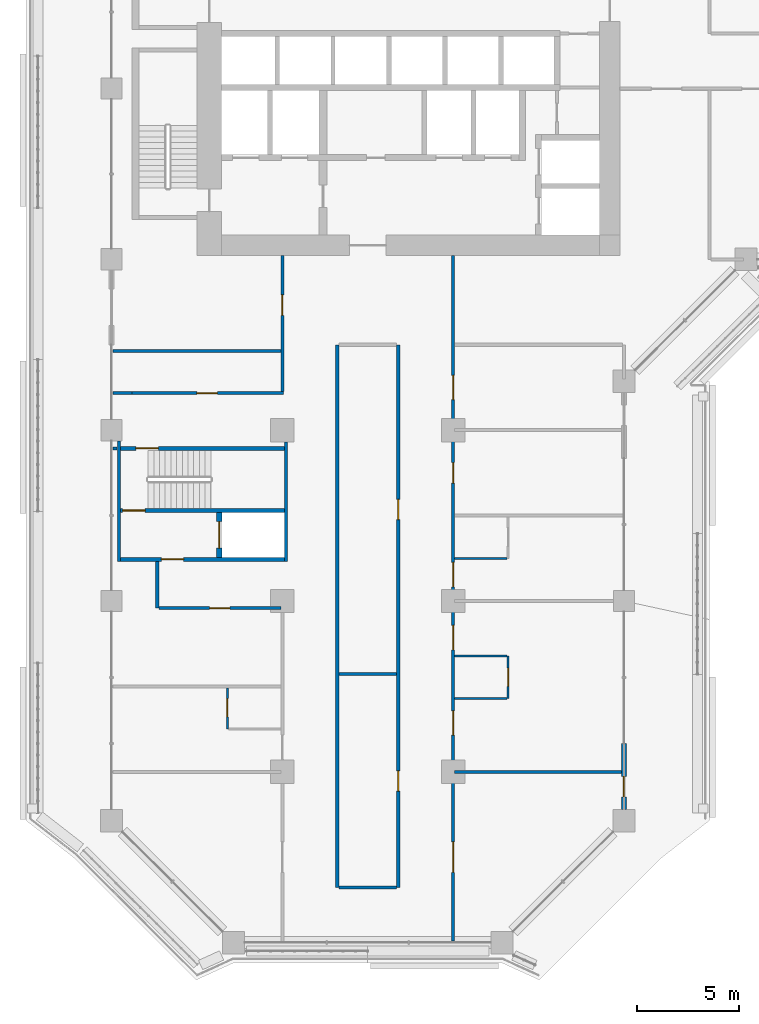
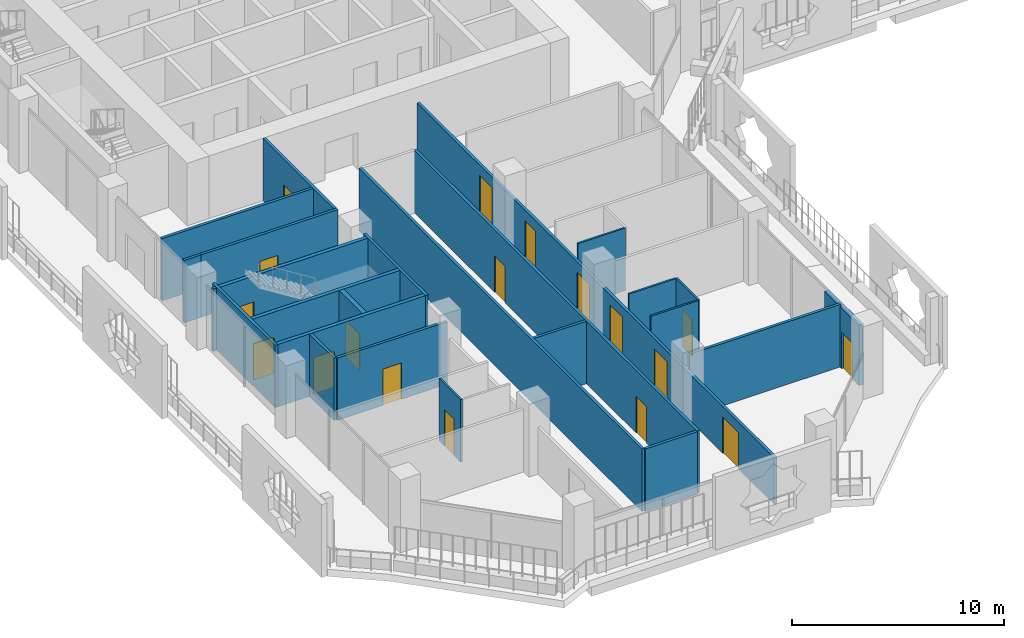
# One storey, part 12 of 25: 25 walls, 18 doors, 18 openings.
"""IFC4 building model written with IfcOpenShell, lengths in metres."""

from ifc_helpers import new_model, si_unit, direction, frame, frame_2d, origin, place, context, subcontext, project, spatial, rectangle, extrude, material, layer, layer_set, type_object, element, fill, save


model = new_model("IFC4")

# Units and contexts
model_context = context("Model", 3, precision=1e-05, world=origin(), true_north=direction((0.0, 1.0)))
body_context = subcontext(model_context, "Body", "Model", "MODEL_VIEW")
ifc_project = project(units=[si_unit("LENGTHUNIT", "METRE"), si_unit("AREAUNIT", "SQUARE_METRE"), si_unit("VOLUMEUNIT", "CUBIC_METRE"), si_unit("PLANEANGLEUNIT", "RADIAN"), si_unit("MASSUNIT", "GRAM", prefix="KILO")], contexts=[model_context])

# Site, building, storey
site_placement = place(None, origin())
site = spatial("IfcSite", under=ifc_project, at=site_placement, CompositionType="ELEMENT")
building_placement = place(site_placement, origin())
building = spatial("IfcBuilding", under=site, at=building_placement, Name="Kawkab Arch Medical Tower", CompositionType="ELEMENT")
storey_placement = place(building_placement, frame((0.0, 0.0, 140.800048828125)))
storey = spatial("IfcBuildingStorey", under=building, at=storey_placement, Name="L32", CompositionType="ELEMENT", Elevation=140.800048828125)

# Wall, opening, door
ifc_material_1 = material(Name="Concrete C60/75", Category="concrete")
ifc_layer_1 = layer(ifc_material_1, 0.25)
ifc_layer_set_1 = layer_set([ifc_layer_1], Name="Concrete C60/75")
wall_type_1 = type_object("IfcWallType", Name="Core shear wall 250 C60/75", PredefinedType="SHEAR", material=ifc_layer_set_1)
wall_1_placement = place(storey_placement, frame((5.300048828125, -39.85009765625, 0.0), z_axis=(0.0, 0.0, 1.0), x_axis=(0.0, 1.0, 0.0)))
wall_1 = element("IfcWall", 1, at=wall_1_placement, inside=storey, type_object=wall_type_1, Name="L32 core shear wall", PredefinedType="SHEAR", context=body_context, shape_type="SweptSolid", body=[
    extrude(rectangle(XDim=2.2001953125, YDim=0.25, at=frame_2d((1.10009765625, 0.0))), origin(), (0.0, 0.0, 1.0), 3.599853515625),
])
opening_1_placement = place(wall_1_placement, frame((0.449951171875, 0.0, 0.0)))
opening_1 = element("IfcOpeningElement", 2, at=opening_1_placement, cuts=wall_1, Name="Opening LD2", PredefinedType="OPENING", context=body_context, shape_type="SweptSolid", body=[
    extrude(rectangle(XDim=1.300048828125, YDim=2.10009765625, at=frame_2d((0.64990234375, 1.050048828125))), frame((0.0, 0.135009765625, 0.0), z_axis=(0.0, -1.0, 0.0), x_axis=(1.0, 0.0, 0.0)), (0.0, 0.0, 1.0), 0.27001953125),
])
ifc_material_2 = material(Name="Stainless steel lift door leaf", Category="steel")
door_type_1 = type_object("IfcDoorType", Name="Lift landing door 1300", OperationType="DOUBLE_DOOR_SLIDING", PredefinedType="DOOR", material=ifc_material_2)
door_1_placement = place(opening_1_placement, origin())
door_1 = element("IfcDoor", 3, at=door_1_placement, inside=storey, type_object=door_type_1, Name="L32 Lift landing door SV2", OperationType="DOUBLE_DOOR_SLIDING", OverallHeight=2.10009765625, OverallWidth=1.300048828125, PredefinedType="DOOR", context=body_context, shape_type="SweptSolid", body=[
    extrude(rectangle(XDim=1.300048828125, YDim=2.10009765625, at=frame_2d((0.64990234375, 1.050048828125))), frame((0.0, 0.02490234375, 0.0), z_axis=(0.0, -1.0, 0.0), x_axis=(1.0, 0.0, 0.0)), (0.0, 0.0, 1.0), 0.050048828125),
])
fill(opening_1, door_1)

ifc_material_3 = material(Name="Bronze clad insulated wall panel")
ifc_layer_2 = layer(ifc_material_3, 0.25)
ifc_layer_set_2 = layer_set([ifc_layer_2], Name="Bronze clad insulated wall panel")
wall_type_2 = type_object("IfcWallType", Name="External wall bay 250", PredefinedType="SOLIDWALL", material=ifc_layer_set_2)
wall_2_placement = place(storey_placement, frame((25.199951171875, -52.25, 0.0), z_axis=(0.0, 0.0, 1.0), x_axis=(0.0, 1.0, 0.0)))
wall_2 = element("IfcWall", 4, at=wall_2_placement, inside=storey, type_object=wall_type_2, Name="External wall bay L32.R05.1.1", PredefinedType="SOLIDWALL", context=body_context, shape_type="SweptSolid", body=[
    extrude(rectangle(XDim=3.24169921875, YDim=0.25, at=frame_2d((1.620849609375, 0.0))), origin(), (0.0, 0.0, 1.0), 3.47998046875),
])
opening_2_placement = place(wall_2_placement, frame((0.620849609375, 0.0, 0.0)))
opening_2 = element("IfcOpeningElement", 5, at=opening_2_placement, cuts=wall_2, Name="Opening W27-702", PredefinedType="OPENING", context=body_context, shape_type="SweptSolid", body=[
    extrude(rectangle(XDim=1.0, YDim=2.10009765625, at=frame_2d((0.5, 1.050048828125))), frame((0.0, 0.135009765625, 0.0), z_axis=(0.0, -1.0, 0.0), x_axis=(1.0, 0.0, 0.0)), (0.0, 0.0, 1.0), 0.27001953125),
])
ifc_material_4 = material(Name="Bronze anodised aluminium door with tinted glass", Category="aluminium")
door_type_2 = type_object("IfcDoorType", Name="Single external door 1000 x 2100", OperationType="SINGLE_SWING_LEFT", PredefinedType="DOOR", material=ifc_material_4)
door_2_placement = place(opening_2_placement, origin())
door_2 = element("IfcDoor", 6, at=door_2_placement, inside=storey, type_object=door_type_2, Name="External door L32.R05.1.1", OperationType="SINGLE_SWING_LEFT", OverallHeight=2.10009765625, OverallWidth=1.0, PredefinedType="DOOR", context=body_context, shape_type="SweptSolid", body=[
    extrude(rectangle(XDim=1.0, YDim=2.10009765625, at=frame_2d((0.5, 1.050048828125))), frame((0.0, 0.02490234375, 0.0), z_axis=(0.0, -1.0, 0.0), x_axis=(1.0, 0.0, 0.0)), (0.0, 0.0, 1.0), 0.050048828125),
])
fill(opening_2, door_2)

# Walls
ifc_material_5 = material(Name="Gypsum board partition on steel studs", Category="steel")
ifc_layer_3 = layer(ifc_material_5, 0.10009765625)
ifc_layer_set_3 = layer_set([ifc_layer_3], Name="Gypsum board partition on steel studs")
wall_type_3 = type_object("IfcWallType", Name="Partition 100", PredefinedType="PARTITIONING", material=ifc_layer_set_3)
wall_3_placement = place(storey_placement, frame((16.875, -46.800048828125, 0.0), z_axis=(0.0, 0.0, 1.0), x_axis=(1.0, 0.0, 0.0)))
element("IfcWall", 7, at=wall_3_placement, inside=storey, type_object=wall_type_3, Name="Partition 100 w002", PredefinedType="PARTITIONING", context=body_context, shape_type="SweptSolid", body=[
    extrude(rectangle(XDim=2.572998046875, YDim=0.10009765625, at=frame_2d((1.28662109375, 0.0))), origin(), (0.0, 0.0, 1.0), 3.599853515625),
])
wall_4_placement = place(storey_placement, frame((16.875, -44.699951171875, 0.0), z_axis=(0.0, 0.0, 1.0), x_axis=(1.0, 0.0, 0.0)))
element("IfcWall", 8, at=wall_4_placement, inside=storey, type_object=wall_type_3, Name="Partition 100 w003", PredefinedType="PARTITIONING", context=body_context, shape_type="SweptSolid", body=[
    extrude(rectangle(XDim=2.573974609375, YDim=0.10009765625, at=frame_2d((1.287109375, 0.0))), origin(), (0.0, 0.0, 1.0), 3.599853515625),
])
wall_5_placement = place(storey_placement, frame((16.875, -39.89990234375, 0.0), z_axis=(0.0, 0.0, 1.0), x_axis=(1.0, 0.0, 0.0)))
element("IfcWall", 9, at=wall_5_placement, inside=storey, type_object=wall_type_3, Name="Partition 100 w004", PredefinedType="PARTITIONING", context=body_context, shape_type="SweptSolid", body=[
    extrude(rectangle(XDim=2.574951171875, YDim=0.10009765625, at=frame_2d((1.28759765625, 0.0))), origin(), (0.0, 0.0, 1.0), 3.599853515625),
])

# Wall, opening, door
wall_6_placement = place(storey_placement, frame((5.699951171875, -48.300048828125, 0.0), z_axis=(0.0, 0.0, 1.0), x_axis=(0.0, 1.0, 0.0)))
wall_6 = element("IfcWall", 10, at=wall_6_placement, inside=storey, type_object=wall_type_3, Name="Partition 100 w014", PredefinedType="PARTITIONING", context=body_context, shape_type="SweptSolid", body=[
    extrude(rectangle(XDim=2.025146484375, YDim=0.10009765625, at=frame_2d((1.0126953125, 0.0))), origin(), (0.0, 0.0, 1.0), 3.599853515625),
])
opening_3_placement = place(wall_6_placement, frame((0.60009765625, 0.0, 0.0)))
opening_3 = element("IfcOpeningElement", 11, at=opening_3_placement, cuts=wall_6, Name="Opening W27-014", PredefinedType="OPENING", context=body_context, shape_type="SweptSolid", body=[
    extrude(rectangle(XDim=0.89990234375, YDim=2.10009765625, at=frame_2d((0.449951171875, 1.050048828125))), frame((0.0, 0.06005859375, 0.0), z_axis=(0.0, -1.0, 0.0), x_axis=(1.0, 0.0, 0.0)), (0.0, 0.0, 1.0), 0.1201171875),
])
ifc_material_6 = material(Name="Timber door leaf", Category="wood")
door_type_3 = type_object("IfcDoorType", Name="Single door 900x2100", OperationType="NOTDEFINED", PredefinedType="DOOR", material=ifc_material_6)
door_3_placement = place(opening_3_placement, origin())
door_3 = element("IfcDoor", 12, at=door_3_placement, inside=storey, type_object=door_type_3, Name="Door W27-014", OperationType="SINGLE_SWING_RIGHT", OverallHeight=2.10009765625, OverallWidth=0.89990234375, PredefinedType="DOOR", context=body_context, shape_type="SweptSolid", body=[
    extrude(rectangle(XDim=0.89990234375, YDim=2.10009765625, at=frame_2d((0.449951171875, 1.050048828125))), frame((0.0, 0.02490234375, 0.0), z_axis=(0.0, -1.0, 0.0), x_axis=(1.0, 0.0, 0.0)), (0.0, 0.0, 1.0), 0.050048828125),
])
fill(opening_3, door_3)

wall_7_placement = place(storey_placement, frame((19.5, -46.798095703125, 0.0), z_axis=(0.0, 0.0, 1.0), x_axis=(0.0, 1.0, 0.0)))
wall_7 = element("IfcWall", 13, at=wall_7_placement, inside=storey, type_object=wall_type_3, Name="Partition 100 w015", PredefinedType="PARTITIONING", context=body_context, shape_type="SweptSolid", body=[
    extrude(rectangle(XDim=2.09619140625, YDim=0.10009765625, at=frame_2d((1.048095703125, 0.0))), origin(), (0.0, 0.0, 1.0), 3.599853515625),
])
opening_4_placement = place(wall_7_placement, frame((0.597900390625, 0.0, 0.0)))
opening_4 = element("IfcOpeningElement", 14, at=opening_4_placement, cuts=wall_7, Name="Opening W27-016", PredefinedType="OPENING", context=body_context, shape_type="SweptSolid", body=[
    extrude(rectangle(XDim=0.89990234375, YDim=2.10009765625, at=frame_2d((0.449951171875, 1.050048828125))), frame((0.0, 0.06005859375, 0.0), z_axis=(0.0, -1.0, 0.0), x_axis=(1.0, 0.0, 0.0)), (0.0, 0.0, 1.0), 0.1201171875),
])
door_4_placement = place(opening_4_placement, origin())
door_4 = element("IfcDoor", 15, at=door_4_placement, inside=storey, type_object=door_type_3, Name="Door W27-016", OperationType="SINGLE_SWING_LEFT", OverallHeight=2.10009765625, OverallWidth=0.89990234375, PredefinedType="DOOR", context=body_context, shape_type="SweptSolid", body=[
    extrude(rectangle(XDim=0.89990234375, YDim=2.10009765625, at=frame_2d((0.449951171875, 1.050048828125))), frame((0.0, 0.02490234375, 0.0), z_axis=(0.0, -1.0, 0.0), x_axis=(1.0, 0.0, 0.0)), (0.0, 0.0, 1.0), 0.050048828125),
])
fill(opening_4, door_4)

# Walls
ifc_material_7 = material(Name="Gypsum board partition on steel studs, mineral wool", Category="steel")
ifc_layer_4 = layer(ifc_material_7, 0.14990234375)
ifc_layer_set_4 = layer_set([ifc_layer_4], Name="Gypsum board partition on steel studs, mineral wool")
wall_type_4 = type_object("IfcWallType", Name="Partition 150", PredefinedType="PARTITIONING", material=ifc_layer_set_4)
wall_8_placement = place(storey_placement, frame((11.175048828125, -56.10009765625, 0.0), z_axis=(0.0, 0.0, 1.0), x_axis=(1.0, 0.0, 0.0)))
element("IfcWall", 16, at=wall_8_placement, inside=storey, type_object=wall_type_4, Name="Partition 150 w030", PredefinedType="PARTITIONING", context=body_context, shape_type="SweptSolid", body=[
    extrude(rectangle(XDim=2.849853515625, YDim=0.14990234375, at=frame_2d((1.4248046875, 0.0))), origin(), (0.0, 0.0, 1.0), 3.599853515625),
])
wall_9_placement = place(storey_placement, frame((16.875, -50.39990234375, 0.0), z_axis=(0.0, 0.0, 1.0), x_axis=(1.0, 0.0, 0.0)))
element("IfcWall", 17, at=wall_9_placement, inside=storey, type_object=wall_type_4, Name="Partition 150 w032", PredefinedType="PARTITIONING", context=body_context, shape_type="SweptSolid", body=[
    extrude(rectangle(XDim=8.2451171875, YDim=0.14990234375, at=frame_2d((4.12255859375, 0.0))), origin(), (0.0, 0.0, 1.0), 3.599853515625),
])
wall_10_placement = place(storey_placement, frame((11.175048828125, -45.60009765625, 0.0), z_axis=(0.0, 0.0, 1.0), x_axis=(1.0, 0.0, 0.0)))
element("IfcWall", 18, at=wall_10_placement, inside=storey, type_object=wall_type_4, Name="Partition 150 w034", PredefinedType="PARTITIONING", context=body_context, shape_type="SweptSolid", body=[
    extrude(rectangle(XDim=2.849853515625, YDim=0.14990234375, at=frame_2d((1.4248046875, 0.0))), origin(), (0.0, 0.0, 1.0), 3.599853515625),
])

# Wall, opening, door
wall_11_placement = place(storey_placement, frame((2.326904296875, -42.35009765625, 0.0), z_axis=(0.0, 0.0, 1.0), x_axis=(1.0, 0.0, 0.0)))
wall_11 = element("IfcWall", 19, at=wall_11_placement, inside=storey, type_object=wall_type_4, Name="Partition 150 w035", PredefinedType="PARTITIONING", context=body_context, shape_type="SweptSolid", body=[
    extrude(rectangle(XDim=5.998046875, YDim=0.14990234375, at=frame_2d((2.9990234375, 0.0))), origin(), (0.0, 0.0, 1.0), 3.599853515625),
])
opening_5_placement = place(wall_11_placement, frame((2.4990234375, 0.0, 0.0)))
opening_5 = element("IfcOpeningElement", 20, at=opening_5_placement, cuts=wall_11, Name="Opening W27-032", PredefinedType="OPENING", context=body_context, shape_type="SweptSolid", body=[
    extrude(rectangle(XDim=1.0, YDim=2.10009765625, at=frame_2d((0.5, 1.050048828125))), frame((0.0, 0.0849609375, 0.0), z_axis=(0.0, -1.0, 0.0), x_axis=(1.0, 0.0, 0.0)), (0.0, 0.0, 1.0), 0.169921875),
])
ifc_material_8 = material(Name="Hollow metal door leaf")
door_type_4 = type_object("IfcDoorType", Name="Single door 1000x2100 FD30S", OperationType="NOTDEFINED", PredefinedType="DOOR", material=ifc_material_8)
door_5_placement = place(opening_5_placement, origin())
door_5 = element("IfcDoor", 21, at=door_5_placement, inside=storey, type_object=door_type_4, Name="Door W27-032", OperationType="SINGLE_SWING_LEFT", OverallHeight=2.10009765625, OverallWidth=1.0, PredefinedType="DOOR", context=body_context, shape_type="SweptSolid", body=[
    extrude(rectangle(XDim=1.0, YDim=2.10009765625, at=frame_2d((0.5, 1.050048828125))), frame((0.0, 0.02490234375, 0.0), z_axis=(0.0, -1.0, 0.0), x_axis=(1.0, 0.0, 0.0)), (0.0, 0.0, 1.0), 0.050048828125),
])
fill(opening_5, door_5)

# Walls
wall_12_placement = place(storey_placement, frame((0.080078125, -34.5, 0.0), z_axis=(0.0, 0.0, 1.0), x_axis=(1.0, 0.0, 0.0)))
element("IfcWall", 22, at=wall_12_placement, inside=storey, type_object=wall_type_4, Name="Partition 150 w038", PredefinedType="PARTITIONING", context=body_context, shape_type="SweptSolid", body=[
    extrude(rectangle(XDim=0.18994140625, YDim=0.14990234375, at=frame_2d((0.094970703125, 0.0))), origin(), (0.0, 0.0, 1.0), 3.599853515625),
])
wall_13_placement = place(storey_placement, frame((0.080078125, -31.781982421875, 0.0), z_axis=(0.0, 0.0, 1.0), x_axis=(1.0, 0.0, 0.0)))
element("IfcWall", 23, at=wall_13_placement, inside=storey, type_object=wall_type_4, Name="Partition 150 w040", PredefinedType="PARTITIONING", context=body_context, shape_type="SweptSolid", body=[
    extrude(rectangle(XDim=0.919921875, YDim=0.14990234375, at=frame_2d((0.4599609375, 0.0))), origin(), (0.0, 0.0, 1.0), 3.599853515625),
])

# Wall, opening, door
wall_14_placement = place(storey_placement, frame((1.001953125, -31.781982421875, 0.0), z_axis=(0.0, 0.0, 1.0), x_axis=(1.0, 0.0, 0.0)))
wall_14 = element("IfcWall", 24, at=wall_14_placement, inside=storey, type_object=wall_type_4, Name="Partition 150 w041", PredefinedType="PARTITIONING", context=body_context, shape_type="SweptSolid", body=[
    extrude(rectangle(XDim=7.447998046875, YDim=0.14990234375, at=frame_2d((3.72412109375, 0.0))), origin(), (0.0, 0.0, 1.0), 3.599853515625),
])
opening_6_placement = place(wall_14_placement, frame((3.198974609375, 0.0, 0.0)))
opening_6 = element("IfcOpeningElement", 25, at=opening_6_placement, cuts=wall_14, Name="Opening W27-031", PredefinedType="OPENING", context=body_context, shape_type="SweptSolid", body=[
    extrude(rectangle(XDim=1.0, YDim=2.10009765625, at=frame_2d((0.5, 1.050048828125))), frame((0.0, 0.0849609375, 0.0), z_axis=(0.0, -1.0, 0.0), x_axis=(1.0, 0.0, 0.0)), (0.0, 0.0, 1.0), 0.169921875),
])
door_6_placement = place(opening_6_placement, origin())
door_6 = element("IfcDoor", 26, at=door_6_placement, inside=storey, type_object=door_type_4, Name="Door W27-031", OperationType="SINGLE_SWING_LEFT", OverallHeight=2.10009765625, OverallWidth=1.0, PredefinedType="DOOR", context=body_context, shape_type="SweptSolid", body=[
    extrude(rectangle(XDim=1.0, YDim=2.10009765625, at=frame_2d((0.5, 1.050048828125))), frame((0.0, 0.02490234375, 0.0), z_axis=(0.0, -1.0, 0.0), x_axis=(1.0, 0.0, 0.0)), (0.0, 0.0, 1.0), 0.050048828125),
])
fill(opening_6, door_6)

# Walls
wall_15_placement = place(storey_placement, frame((0.080078125, -29.699951171875, 0.0), z_axis=(0.0, 0.0, 1.0), x_axis=(1.0, 0.0, 0.0)))
element("IfcWall", 27, at=wall_15_placement, inside=storey, type_object=wall_type_4, Name="Partition 150 w042", PredefinedType="PARTITIONING", context=body_context, shape_type="SweptSolid", body=[
    extrude(rectangle(XDim=8.244873046875, YDim=0.14990234375, at=frame_2d((4.12255859375, 0.0))), origin(), (0.0, 0.0, 1.0), 3.599853515625),
])
wall_16_placement = place(storey_placement, frame((2.25, -42.347900390625, 0.0), z_axis=(0.0, 0.0, 1.0), x_axis=(0.0, 1.0, 0.0)))
element("IfcWall", 28, at=wall_16_placement, inside=storey, type_object=wall_type_4, Name="Partition 150 w058", PredefinedType="PARTITIONING", context=body_context, shape_type="SweptSolid", body=[
    extrude(rectangle(XDim=2.2978515625, YDim=0.14990234375, at=frame_2d((1.14892578125, 0.0))), origin(), (0.0, 0.0, 1.0), 3.599853515625),
])

# Wall, opening, door
wall_17_placement = place(storey_placement, frame((8.39990234375, -31.70703125, 0.0), z_axis=(0.0, 0.0, 1.0), x_axis=(0.0, 1.0, 0.0)))
wall_17 = element("IfcWall", 29, at=wall_17_placement, inside=storey, type_object=wall_type_4, Name="Partition 150 w060", PredefinedType="PARTITIONING", context=body_context, shape_type="SweptSolid", body=[
    extrude(rectangle(XDim=6.70703125, YDim=0.14990234375, at=frame_2d((3.353515625, 0.0))), origin(), (0.0, 0.0, 1.0), 3.599853515625),
])
opening_7_placement = place(wall_17_placement, frame((3.757080078125, 0.0, 0.0)))
opening_7 = element("IfcOpeningElement", 30, at=opening_7_placement, cuts=wall_17, Name="Opening W27-030", PredefinedType="OPENING", context=body_context, shape_type="SweptSolid", body=[
    extrude(rectangle(XDim=1.0, YDim=2.10009765625, at=frame_2d((0.5, 1.050048828125))), frame((0.0, 0.0849609375, 0.0), z_axis=(0.0, -1.0, 0.0), x_axis=(1.0, 0.0, 0.0)), (0.0, 0.0, 1.0), 0.169921875),
])
door_7_placement = place(opening_7_placement, origin())
door_7 = element("IfcDoor", 31, at=door_7_placement, inside=storey, type_object=door_type_4, Name="Door W27-030", OperationType="SINGLE_SWING_RIGHT", OverallHeight=2.10009765625, OverallWidth=1.0, PredefinedType="DOOR", context=body_context, shape_type="SweptSolid", body=[
    extrude(rectangle(XDim=1.0, YDim=2.10009765625, at=frame_2d((0.5, 1.050048828125))), frame((0.0, 0.02490234375, 0.0), z_axis=(0.0, -1.0, 0.0), x_axis=(1.0, 0.0, 0.0)), (0.0, 0.0, 1.0), 0.050048828125),
])
fill(opening_7, door_7)

# Wall
wall_18_placement = place(storey_placement, frame((11.10009765625, -56.10009765625, 0.0), z_axis=(0.0, 0.0, 1.0), x_axis=(0.0, 1.0, 0.0)))
element("IfcWall", 32, at=wall_18_placement, inside=storey, type_object=wall_type_4, Name="Partition 150 w061", PredefinedType="PARTITIONING", context=body_context, shape_type="SweptSolid", body=[
    extrude(rectangle(XDim=26.7001953125, YDim=0.14990234375, at=frame_2d((13.35009765625, 0.0))), origin(), (0.0, 0.0, 1.0), 3.599853515625),
])

# Wall, openings, doors
wall_19_placement = place(storey_placement, frame((14.10009765625, -56.10009765625, 0.0), z_axis=(0.0, 0.0, 1.0), x_axis=(0.0, 1.0, 0.0)))
wall_19 = element("IfcWall", 33, at=wall_19_placement, inside=storey, type_object=wall_type_4, Name="Partition 150 w062", PredefinedType="PARTITIONING", context=body_context, shape_type="SweptSolid", body=[
    extrude(rectangle(XDim=26.7001953125, YDim=0.14990234375, at=frame_2d((13.35009765625, 0.0))), origin(), (0.0, 0.0, 1.0), 3.599853515625),
])
opening_8_placement = place(wall_19_placement, frame((18.10009765625, 0.0, 0.0)))
opening_8 = element("IfcOpeningElement", 34, at=opening_8_placement, cuts=wall_19, Name="Opening W27-033", PredefinedType="OPENING", context=body_context, shape_type="SweptSolid", body=[
    extrude(rectangle(XDim=1.0, YDim=2.10009765625, at=frame_2d((0.5, 1.050048828125))), frame((0.0, 0.0849609375, 0.0), z_axis=(0.0, -1.0, 0.0), x_axis=(1.0, 0.0, 0.0)), (0.0, 0.0, 1.0), 0.169921875),
])
opening_9_placement = place(wall_19_placement, frame((4.75, 0.0, 0.0)))
opening_9 = element("IfcOpeningElement", 35, at=opening_9_placement, cuts=wall_19, Name="Opening W27-034", PredefinedType="OPENING", context=body_context, shape_type="SweptSolid", body=[
    extrude(rectangle(XDim=1.0, YDim=2.10009765625, at=frame_2d((0.5, 1.050048828125))), frame((0.0, 0.0849609375, 0.0), z_axis=(0.0, -1.0, 0.0), x_axis=(1.0, 0.0, 0.0)), (0.0, 0.0, 1.0), 0.169921875),
])
door_8_placement = place(opening_8_placement, origin())
door_8 = element("IfcDoor", 36, at=door_8_placement, inside=storey, type_object=door_type_4, Name="Door W27-033", OperationType="SINGLE_SWING_RIGHT", OverallHeight=2.10009765625, OverallWidth=1.0, PredefinedType="DOOR", context=body_context, shape_type="SweptSolid", body=[
    extrude(rectangle(XDim=1.0, YDim=2.10009765625, at=frame_2d((0.5, 1.050048828125))), frame((0.0, 0.02490234375, 0.0), z_axis=(0.0, -1.0, 0.0), x_axis=(1.0, 0.0, 0.0)), (0.0, 0.0, 1.0), 0.050048828125),
])
fill(opening_8, door_8)
door_9_placement = place(opening_9_placement, origin())
door_9 = element("IfcDoor", 37, at=door_9_placement, inside=storey, type_object=door_type_4, Name="Door W27-034", OperationType="SINGLE_SWING_LEFT", OverallHeight=2.10009765625, OverallWidth=1.0, PredefinedType="DOOR", context=body_context, shape_type="SweptSolid", body=[
    extrude(rectangle(XDim=1.0, YDim=2.10009765625, at=frame_2d((0.5, 1.050048828125))), frame((0.0, 0.02490234375, 0.0), z_axis=(0.0, -1.0, 0.0), x_axis=(1.0, 0.0, 0.0)), (0.0, 0.0, 1.0), 0.050048828125),
])
fill(opening_9, door_9)

wall_20_placement = place(storey_placement, frame((16.800048828125, -58.719970703125, 0.0), z_axis=(0.0, 0.0, 1.0), x_axis=(0.0, 1.0, 0.0)))
wall_20 = element("IfcWall", 38, at=wall_20_placement, inside=storey, type_object=wall_type_4, Name="Partition 150 w063", PredefinedType="PARTITIONING", context=body_context, shape_type="SweptSolid", body=[
    extrude(rectangle(XDim=33.719970703125, YDim=0.14990234375, at=frame_2d((16.85986328125, 0.0))), origin(), (0.0, 0.0, 1.0), 2.699951171875),
])
opening_10_placement = place(wall_20_placement, frame((26.6201171875, 0.0, 0.0)))
opening_10 = element("IfcOpeningElement", 39, at=opening_10_placement, cuts=wall_20, Name="Opening W27-054", PredefinedType="OPENING", context=body_context, shape_type="SweptSolid", body=[
    extrude(rectangle(XDim=1.199951171875, YDim=2.10009765625, at=frame_2d((0.60009765625, 1.050048828125))), frame((0.0, 0.0849609375, 0.0), z_axis=(0.0, -1.0, 0.0), x_axis=(1.0, 0.0, 0.0)), (0.0, 0.0, 1.0), 0.169921875),
])
opening_11_placement = place(wall_20_placement, frame((22.52001953125, 0.0, 0.0)))
opening_11 = element("IfcOpeningElement", 40, at=opening_11_placement, cuts=wall_20, Name="Opening W27-035", PredefinedType="OPENING", context=body_context, shape_type="SweptSolid", body=[
    extrude(rectangle(XDim=1.0, YDim=2.10009765625, at=frame_2d((0.5, 1.050048828125))), frame((0.0, 0.0849609375, 0.0), z_axis=(0.0, -1.0, 0.0), x_axis=(1.0, 0.0, 0.0)), (0.0, 0.0, 1.0), 0.169921875),
])
opening_12_placement = place(wall_20_placement, frame((17.419921875, 0.0, 0.0)))
opening_12 = element("IfcOpeningElement", 41, at=opening_12_placement, cuts=wall_20, Name="Opening W27-055", PredefinedType="OPENING", context=body_context, shape_type="SweptSolid", body=[
    extrude(rectangle(XDim=1.199951171875, YDim=2.10009765625, at=frame_2d((0.60009765625, 1.050048828125))), frame((0.0, 0.0849609375, 0.0), z_axis=(0.0, -1.0, 0.0), x_axis=(1.0, 0.0, 0.0)), (0.0, 0.0, 1.0), 0.169921875),
])
opening_13_placement = place(wall_20_placement, frame((10.1201171875, 0.0, 0.0)))
opening_13 = element("IfcOpeningElement", 42, at=opening_13_placement, cuts=wall_20, Name="Opening W27-056", PredefinedType="OPENING", context=body_context, shape_type="SweptSolid", body=[
    extrude(rectangle(XDim=1.199951171875, YDim=2.10009765625, at=frame_2d((0.60009765625, 1.050048828125))), frame((0.0, 0.0849609375, 0.0), z_axis=(0.0, -1.0, 0.0), x_axis=(1.0, 0.0, 0.0)), (0.0, 0.0, 1.0), 0.169921875),
])
opening_14_placement = place(wall_20_placement, frame((14.320068359375, 0.0, 0.0)))
opening_14 = element("IfcOpeningElement", 43, at=opening_14_placement, cuts=wall_20, Name="Opening W27-057", PredefinedType="OPENING", context=body_context, shape_type="SweptSolid", body=[
    extrude(rectangle(XDim=1.199951171875, YDim=2.10009765625, at=frame_2d((0.60009765625, 1.050048828125))), frame((0.0, 0.0849609375, 0.0), z_axis=(0.0, -1.0, 0.0), x_axis=(1.0, 0.0, 0.0)), (0.0, 0.0, 1.0), 0.169921875),
])
opening_15_placement = place(wall_20_placement, frame((3.3701171875, 0.0, 0.0)))
opening_15 = element("IfcOpeningElement", 44, at=opening_15_placement, cuts=wall_20, Name="Opening W27-003", PredefinedType="OPENING", context=body_context, shape_type="SweptSolid", body=[
    extrude(rectangle(XDim=1.5, YDim=2.10009765625, at=frame_2d((0.75, 1.050048828125))), frame((0.0, 0.0849609375, 0.0), z_axis=(0.0, -1.0, 0.0), x_axis=(1.0, 0.0, 0.0)), (0.0, 0.0, 1.0), 0.169921875),
])
ifc_material_9 = material(Name="Hollow metal door leaf")
door_type_5 = type_object("IfcDoorType", Name="Double door 1500x2100 FD30S", OperationType="NOTDEFINED", PredefinedType="DOOR", material=ifc_material_9)
door_10_placement = place(opening_15_placement, origin())
door_10 = element("IfcDoor", 45, at=door_10_placement, inside=storey, type_object=door_type_5, Name="Door W27-003", OperationType="DOUBLE_DOOR_SINGLE_SWING", OverallHeight=2.10009765625, OverallWidth=1.5, PredefinedType="DOOR", context=body_context, shape_type="SweptSolid", body=[
    extrude(rectangle(XDim=1.5, YDim=2.10009765625, at=frame_2d((0.75, 1.050048828125))), frame((0.0, 0.02490234375, 0.0), z_axis=(0.0, -1.0, 0.0), x_axis=(1.0, 0.0, 0.0)), (0.0, 0.0, 1.0), 0.050048828125),
])
fill(opening_15, door_10)
door_11_placement = place(opening_11_placement, origin())
door_11 = element("IfcDoor", 46, at=door_11_placement, inside=storey, type_object=door_type_4, Name="Door W27-035", OperationType="SINGLE_SWING_LEFT", OverallHeight=2.10009765625, OverallWidth=1.0, PredefinedType="DOOR", context=body_context, shape_type="SweptSolid", body=[
    extrude(rectangle(XDim=1.0, YDim=2.10009765625, at=frame_2d((0.5, 1.050048828125))), frame((0.0, 0.02490234375, 0.0), z_axis=(0.0, -1.0, 0.0), x_axis=(1.0, 0.0, 0.0)), (0.0, 0.0, 1.0), 0.050048828125),
])
fill(opening_11, door_11)
ifc_material_10 = material(Name="Hollow metal door leaf")
door_type_6 = type_object("IfcDoorType", Name="Single door 1200x2100 FD30S", OperationType="NOTDEFINED", PredefinedType="DOOR", material=ifc_material_10)
door_12_placement = place(opening_10_placement, origin())
door_12 = element("IfcDoor", 47, at=door_12_placement, inside=storey, type_object=door_type_6, Name="Door W27-054", OperationType="SINGLE_SWING_LEFT", OverallHeight=2.10009765625, OverallWidth=1.199951171875, PredefinedType="DOOR", context=body_context, shape_type="SweptSolid", body=[
    extrude(rectangle(XDim=1.199951171875, YDim=2.10009765625, at=frame_2d((0.60009765625, 1.050048828125))), frame((0.0, 0.02490234375, 0.0), z_axis=(0.0, -1.0, 0.0), x_axis=(1.0, 0.0, 0.0)), (0.0, 0.0, 1.0), 0.050048828125),
])
fill(opening_10, door_12)
door_13_placement = place(opening_12_placement, origin())
door_13 = element("IfcDoor", 48, at=door_13_placement, inside=storey, type_object=door_type_6, Name="Door W27-055", OperationType="SINGLE_SWING_LEFT", OverallHeight=2.10009765625, OverallWidth=1.199951171875, PredefinedType="DOOR", context=body_context, shape_type="SweptSolid", body=[
    extrude(rectangle(XDim=1.199951171875, YDim=2.10009765625, at=frame_2d((0.60009765625, 1.050048828125))), frame((0.0, 0.02490234375, 0.0), z_axis=(0.0, -1.0, 0.0), x_axis=(1.0, 0.0, 0.0)), (0.0, 0.0, 1.0), 0.050048828125),
])
fill(opening_12, door_13)
door_14_placement = place(opening_13_placement, origin())
door_14 = element("IfcDoor", 49, at=door_14_placement, inside=storey, type_object=door_type_6, Name="Door W27-056", OperationType="SINGLE_SWING_RIGHT", OverallHeight=2.10009765625, OverallWidth=1.199951171875, PredefinedType="DOOR", context=body_context, shape_type="SweptSolid", body=[
    extrude(rectangle(XDim=1.199951171875, YDim=2.10009765625, at=frame_2d((0.60009765625, 1.050048828125))), frame((0.0, 0.02490234375, 0.0), z_axis=(0.0, -1.0, 0.0), x_axis=(1.0, 0.0, 0.0)), (0.0, 0.0, 1.0), 0.050048828125),
])
fill(opening_13, door_14)
door_15_placement = place(opening_14_placement, origin())
door_15 = element("IfcDoor", 50, at=door_15_placement, inside=storey, type_object=door_type_6, Name="Door W27-057", OperationType="SINGLE_SWING_RIGHT", OverallHeight=2.10009765625, OverallWidth=1.199951171875, PredefinedType="DOOR", context=body_context, shape_type="SweptSolid", body=[
    extrude(rectangle(XDim=1.199951171875, YDim=2.10009765625, at=frame_2d((0.60009765625, 1.050048828125))), frame((0.0, 0.02490234375, 0.0), z_axis=(0.0, -1.0, 0.0), x_axis=(1.0, 0.0, 0.0)), (0.0, 0.0, 1.0), 0.050048828125),
])
fill(opening_14, door_15)

# Walls
ifc_material_11 = material(Name="Concrete C50/60", Category="concrete")
ifc_layer_5 = layer(ifc_material_11, 0.14990234375)
ifc_layer_set_5 = layer_set([ifc_layer_5], Name="Concrete C50/60")
wall_type_5 = type_object("IfcWallType", Name="Stair enclosure wall 150 C50/60", PredefinedType="SHEAR", material=ifc_layer_set_5)
wall_21_placement = place(storey_placement, frame((0.375, -40.050048828125, 0.0), z_axis=(0.0, 0.0, 1.0), x_axis=(0.0, 1.0, 0.0)))
element("IfcWall", 51, at=wall_21_placement, inside=storey, type_object=wall_type_5, Name="L32 stair enclosure wall", PredefinedType="SHEAR", context=body_context, shape_type="SweptSolid", body=[
    extrude(rectangle(XDim=5.925048828125, YDim=0.14990234375, at=frame_2d((2.96240234375, 0.0))), origin(), (0.0, 0.0, 1.0), 3.599853515625),
])
wall_22_placement = place(storey_placement, frame((8.574951171875, -40.050048828125, 0.0), z_axis=(0.0, 0.0, 1.0), x_axis=(0.0, 1.0, 0.0)))
element("IfcWall", 52, at=wall_22_placement, inside=storey, type_object=wall_type_5, Name="L32 stair enclosure wall", PredefinedType="SHEAR", context=body_context, shape_type="SweptSolid", body=[
    extrude(rectangle(XDim=5.875, YDim=0.14990234375, at=frame_2d((2.9375, 0.0))), origin(), (0.0, 0.0, 1.0), 3.599853515625),
])

# Wall, opening, door
ifc_material_12 = material(Name="Concrete C50/60", Category="concrete")
ifc_layer_6 = layer(ifc_material_12, 0.199951171875)
ifc_layer_set_6 = layer_set([ifc_layer_6], Name="Concrete C50/60")
wall_type_6 = type_object("IfcWallType", Name="Stair enclosure wall 200 C50/60", PredefinedType="SHEAR", material=ifc_layer_set_6)
wall_23_placement = place(storey_placement, frame((0.449951171875, -34.5, 0.0), z_axis=(0.0, 0.0, 1.0), x_axis=(1.0, 0.0, 0.0)))
wall_23 = element("IfcWall", 53, at=wall_23_placement, inside=storey, type_object=wall_type_6, Name="L32 stair enclosure wall", PredefinedType="SHEAR", context=body_context, shape_type="SweptSolid", body=[
    extrude(rectangle(XDim=8.050048828125, YDim=0.199951171875, at=frame_2d((4.02490234375, 0.0))), origin(), (0.0, 0.0, 1.0), 3.599853515625),
])
opening_16_placement = place(wall_23_placement, frame((0.75, 0.0, 0.0)))
opening_16 = element("IfcOpeningElement", 54, at=opening_16_placement, cuts=wall_23, Name="Opening SD", PredefinedType="OPENING", context=body_context, shape_type="SweptSolid", body=[
    extrude(rectangle(XDim=1.10009765625, YDim=2.10009765625, at=frame_2d((0.550048828125, 1.050048828125))), frame((0.0, 0.10986328125, 0.0), z_axis=(0.0, -1.0, 0.0), x_axis=(1.0, 0.0, 0.0)), (0.0, 0.0, 1.0), 0.219970703125),
])
ifc_material_13 = material(Name="Hollow metal fire door leaf")
door_type_7 = type_object("IfcDoorType", Name="Exit stair door 1100", OperationType="SINGLE_SWING_LEFT", PredefinedType="DOOR", material=ifc_material_13)
door_16_placement = place(opening_16_placement, origin())
door_16 = element("IfcDoor", 55, at=door_16_placement, inside=storey, type_object=door_type_7, Name="L32 Exit stair ST6 door", OperationType="SINGLE_SWING_LEFT", OverallHeight=2.10009765625, OverallWidth=1.10009765625, PredefinedType="DOOR", context=body_context, shape_type="SweptSolid", body=[
    extrude(rectangle(XDim=1.10009765625, YDim=2.10009765625, at=frame_2d((0.550048828125, 1.050048828125))), frame((0.0, 0.02490234375, 0.0), z_axis=(0.0, -1.0, 0.0), x_axis=(1.0, 0.0, 0.0)), (0.0, 0.0, 1.0), 0.050048828125),
])
fill(opening_16, door_16)

wall_24_placement = place(storey_placement, frame((0.449951171875, -37.550048828125, 0.0), z_axis=(0.0, 0.0, 1.0), x_axis=(1.0, 0.0, 0.0)))
wall_24 = element("IfcWall", 56, at=wall_24_placement, inside=storey, type_object=wall_type_6, Name="L32 stair enclosure wall", PredefinedType="SHEAR", context=body_context, shape_type="SweptSolid", body=[
    extrude(rectangle(XDim=8.050048828125, YDim=0.199951171875, at=frame_2d((4.02490234375, 0.0))), origin(), (0.0, 0.0, 1.0), 3.599853515625),
])
opening_17_placement = place(wall_24_placement, frame((0.10009765625, 0.0, 0.0)))
opening_17 = element("IfcOpeningElement", 57, at=opening_17_placement, cuts=wall_24, Name="Opening SD", PredefinedType="OPENING", context=body_context, shape_type="SweptSolid", body=[
    extrude(rectangle(XDim=1.10009765625, YDim=2.10009765625, at=frame_2d((0.550048828125, 1.050048828125))), frame((0.0, 0.10986328125, 0.0), z_axis=(0.0, -1.0, 0.0), x_axis=(1.0, 0.0, 0.0)), (0.0, 0.0, 1.0), 0.219970703125),
])
door_17_placement = place(opening_17_placement, frame((1.10009765625, 0.0, 0.0), z_axis=(0.0, 0.0, 1.0), x_axis=(-1.0, 0.0, 0.0)))
door_17 = element("IfcDoor", 58, at=door_17_placement, inside=storey, type_object=door_type_7, Name="L32 Exit stair ST6 lobby door", OperationType="SINGLE_SWING_LEFT", OverallHeight=2.10009765625, OverallWidth=1.10009765625, PredefinedType="DOOR", context=body_context, shape_type="SweptSolid", body=[
    extrude(rectangle(XDim=1.10009765625, YDim=2.10009765625, at=frame_2d((0.550048828125, 1.050048828125))), frame((0.0, 0.02490234375, 0.0), z_axis=(0.0, -1.0, 0.0), x_axis=(1.0, 0.0, 0.0)), (0.0, 0.0, 1.0), 0.050048828125),
])
fill(opening_17, door_17)

wall_25_placement = place(storey_placement, frame((0.449951171875, -39.949951171875, 0.0), z_axis=(0.0, 0.0, 1.0), x_axis=(1.0, 0.0, 0.0)))
wall_25 = element("IfcWall", 59, at=wall_25_placement, inside=storey, type_object=wall_type_6, Name="L32 stair enclosure wall", PredefinedType="SHEAR", context=body_context, shape_type="SweptSolid", body=[
    extrude(rectangle(XDim=8.050048828125, YDim=0.199951171875, at=frame_2d((4.02490234375, 0.0))), origin(), (0.0, 0.0, 1.0), 3.599853515625),
])
opening_18_placement = place(wall_25_placement, frame((2.0, 0.0, 0.0)))
opening_18 = element("IfcOpeningElement", 60, at=opening_18_placement, cuts=wall_25, Name="Opening FD", PredefinedType="OPENING", context=body_context, shape_type="SweptSolid", body=[
    extrude(rectangle(XDim=1.10009765625, YDim=2.10009765625, at=frame_2d((0.550048828125, 1.050048828125))), frame((0.0, 0.10986328125, 0.0), z_axis=(0.0, -1.0, 0.0), x_axis=(1.0, 0.0, 0.0)), (0.0, 0.0, 1.0), 0.219970703125),
])
ifc_material_14 = material(Name="Hollow metal fire door leaf")
door_type_8 = type_object("IfcDoorType", Name="Firefighting lobby door 1100", OperationType="SINGLE_SWING_LEFT", PredefinedType="DOOR", material=ifc_material_14)
door_18_placement = place(opening_18_placement, origin())
door_18 = element("IfcDoor", 61, at=door_18_placement, inside=storey, type_object=door_type_8, Name="L32 Service lift lobby door SV2", OperationType="SINGLE_SWING_LEFT", OverallHeight=2.10009765625, OverallWidth=1.10009765625, PredefinedType="DOOR", context=body_context, shape_type="SweptSolid", body=[
    extrude(rectangle(XDim=1.10009765625, YDim=2.10009765625, at=frame_2d((0.550048828125, 1.050048828125))), frame((0.0, 0.02490234375, 0.0), z_axis=(0.0, -1.0, 0.0), x_axis=(1.0, 0.0, 0.0)), (0.0, 0.0, 1.0), 0.050048828125),
])
fill(opening_18, door_18)

save(model, "model.ifc")
